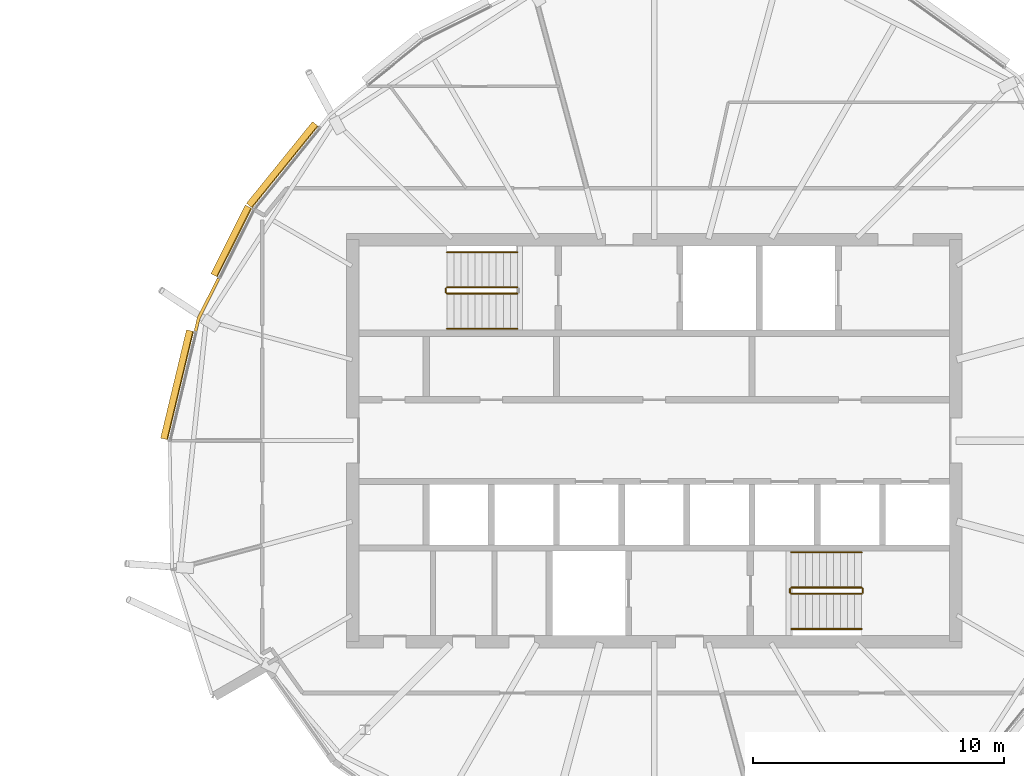
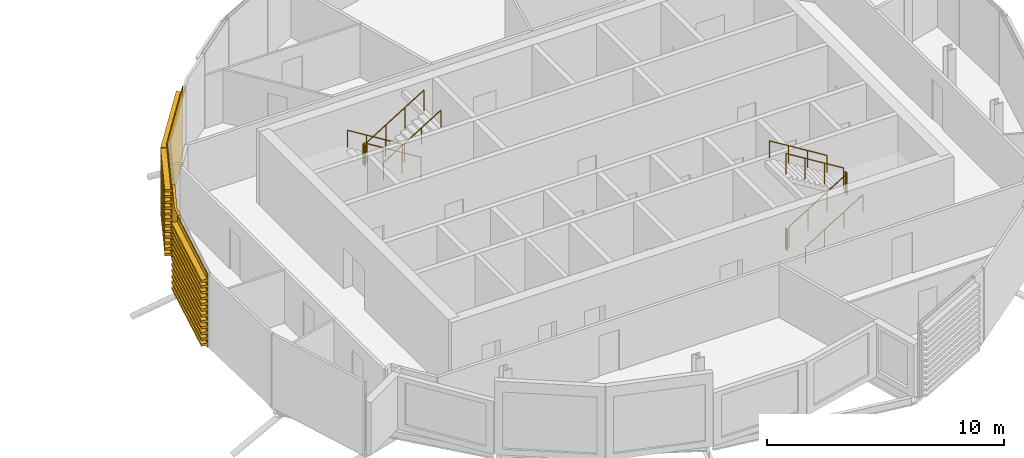
# One storey, part 31 of 33: 11 railings, 4 coverings.
"""IFC4 building model written with IfcOpenShell, lengths in metres."""

from ifc_helpers import new_model, si_unit, direction, frame, origin, origin_2d, place, context, subcontext, project, spatial, polyline, circle, outline, extrude, material, layer, layer_set, material_profile, profile_set, type_object, element, save


model = new_model("IFC4")

# Units and contexts
model_context = context("Model", 3, precision=1e-05, world=origin(), true_north=direction((0.0, 1.0)))
body_context = subcontext(model_context, "Body", "Model", "MODEL_VIEW")
ifc_project = project(units=[si_unit("LENGTHUNIT", "METRE"), si_unit("AREAUNIT", "SQUARE_METRE"), si_unit("VOLUMEUNIT", "CUBIC_METRE"), si_unit("PLANEANGLEUNIT", "RADIAN"), si_unit("MASSUNIT", "GRAM", prefix="KILO")], contexts=[model_context])

# Site, building, storey
site_placement = place(None, origin())
site = spatial("IfcSite", under=ifc_project, at=site_placement, CompositionType="ELEMENT")
building_placement = place(site_placement, origin())
building = spatial("IfcBuilding", under=site, at=building_placement, Name="Rimbun Link Towers", CompositionType="ELEMENT")
storey_placement = place(building_placement, frame((0.0, 0.0, 237.10009765625)))
storey = spatial("IfcBuildingStorey", under=building, at=storey_placement, Name="L58", CompositionType="ELEMENT", Elevation=237.10009765625)

# Covering
ifc_material_1 = material(Name="Terracotta", Category="masonry")
ifc_layer = layer(ifc_material_1, 0.1201171875)
ifc_layer_set = layer_set([ifc_layer], Name="LINK PIER terracotta cladding 120")
covering_type_1 = type_object("IfcCoveringType", Name="LINK PIER terracotta cladding 120", PredefinedType="CLADDING", material=ifc_layer_set)
covering_1_placement = place(storey_placement, origin())
element("IfcCovering", 1, at=covering_1_placement, inside=storey, type_object=covering_type_1, Name="LINK PIER cladding", PredefinedType="CLADDING", context=body_context, shape_type="SweptSolid", body=[
    extrude(outline(polyline([(13.54931640625, 4.338623046875), (13.67041015625, 4.844482421875), (14.464599609375, 6.42626953125), (14.357421875, 6.47998046875), (13.556884765625, 4.8857421875), (13.4326171875, 4.366455078125), (13.54931640625, 4.338623046875)])), origin(), (0.0, 0.0, 1.0), 3.7998046875),
])

# Railings
ifc_material_2 = material(Name="Stainless steel grade 316", Category="steel")
railing_type_1 = type_object("IfcRailingType", Name="Stair guard", PredefinedType="GUARDRAIL", material=ifc_material_2)
railing_1_placement = place(storey_placement, frame((26.300048828125, 6.10009765625, 0.172607421875)))
element("IfcRailing", 2, at=railing_1_placement, inside=storey, type_object=railing_type_1, Name="L58 ST3 stair guard 1", PredefinedType="GUARDRAIL", context=body_context, shape_type="SweptSolid", body=[
    extrude(circle(Radius=0.02392578125, at=origin_2d()), frame((0.0, 0.0, 1.076171875), z_axis=(-0.851089632645, 0.0, 0.525020415988), x_axis=(0.0, -1.0, 0.0)), (0.0, 0.0, 1.0), 3.2900390625),
    extrude(circle(Radius=0.02099609375, at=origin_2d()), origin(), (0.0, 0.0, 1.0), 1.052001953125),
    extrude(circle(Radius=0.02099609375, at=origin_2d()), frame((-0.933349609375, 0.0, 0.57568359375)), (0.0, 0.0, 1.0), 1.052001953125),
    extrude(circle(Radius=0.02099609375, at=origin_2d()), frame((-1.86669921875, 0.0, 1.151611328125)), (0.0, 0.0, 1.0), 1.052001953125),
    extrude(circle(Radius=0.02099609375, at=origin_2d()), frame((-2.800048828125, 0.0, 1.727294921875)), (0.0, 0.0, 1.0), 1.052001953125),
])
railing_2_placement = place(storey_placement, frame((23.449951171875, 6.050048828125, 1.89990234375)))
element("IfcRailing", 3, at=railing_2_placement, inside=storey, type_object=railing_type_1, Name="L58 ST3 stair guard 2", PredefinedType="GUARDRAIL", context=body_context, shape_type="SweptSolid", body=[
    extrude(circle(Radius=0.02392578125, at=origin_2d()), frame((0.0, 0.0, 1.076171875), z_axis=(0.0, -1.0, 0.0), x_axis=(1.0, 0.0, 0.0)), (0.0, 0.0, 1.0), 0.150146484375),
    extrude(circle(Radius=0.02099609375, at=origin_2d()), origin(), (0.0, 0.0, 1.0), 1.052001953125),
    extrude(circle(Radius=0.02099609375, at=origin_2d()), frame((0.0, -0.150146484375, 0.0)), (0.0, 0.0, 1.0), 1.052001953125),
])
for number, where, name in (
    (4, (23.5, 5.85009765625, 2.072509765625), "L58 ST3 stair guard 3"),
    (5, (37.199951171875, -6.10009765625, 0.172607421875), "L58 ST4 stair guard 1"),
):
    element("IfcRailing", number, at=place(storey_placement, frame(where)), inside=storey, type_object=railing_type_1, Name=name, PredefinedType="GUARDRAIL", context=body_context, shape_type="SweptSolid", body=[
        extrude(circle(Radius=0.02392578125, at=origin_2d()), frame((0.0, 0.0, 1.076171875), z_axis=(0.851089632645, 0.0, 0.525020415988), x_axis=(0.0, 1.0, 0.0)), (0.0, 0.0, 1.0), 3.2900390625),
        extrude(circle(Radius=0.02099609375, at=origin_2d()), origin(), (0.0, 0.0, 1.0), 1.052001953125),
        extrude(circle(Radius=0.02099609375, at=origin_2d()), frame((0.933349609375, 0.0, 0.57568359375)), (0.0, 0.0, 1.0), 1.052001953125),
        extrude(circle(Radius=0.02099609375, at=origin_2d()), frame((1.86669921875, 0.0, 1.151611328125)), (0.0, 0.0, 1.0), 1.052001953125),
        extrude(circle(Radius=0.02099609375, at=origin_2d()), frame((2.800048828125, 0.0, 1.727294921875)), (0.0, 0.0, 1.0), 1.052001953125),
    ])
railing_3_placement = place(storey_placement, frame((40.050048828125, -6.050048828125, 1.89990234375)))
element("IfcRailing", 6, at=railing_3_placement, inside=storey, type_object=railing_type_1, Name="L58 ST4 stair guard 2", PredefinedType="GUARDRAIL", context=body_context, shape_type="SweptSolid", body=[
    extrude(circle(Radius=0.02392578125, at=origin_2d()), frame((0.0, 0.0, 1.076171875), z_axis=(0.0, 1.0, 0.0), x_axis=(-1.0, 0.0, 0.0)), (0.0, 0.0, 1.0), 0.150146484375),
    extrude(circle(Radius=0.02099609375, at=origin_2d()), origin(), (0.0, 0.0, 1.0), 1.052001953125),
    extrude(circle(Radius=0.02099609375, at=origin_2d()), frame((0.0, 0.150146484375, 0.0)), (0.0, 0.0, 1.0), 1.052001953125),
])
railing_4_placement = place(storey_placement, frame((40.0, -5.85009765625, 2.072509765625)))
element("IfcRailing", 7, at=railing_4_placement, inside=storey, type_object=railing_type_1, Name="L58 ST4 stair guard 3", PredefinedType="GUARDRAIL", context=body_context, shape_type="SweptSolid", body=[
    extrude(circle(Radius=0.02392578125, at=origin_2d()), frame((0.0, 0.0, 1.076171875), z_axis=(-0.851089632645, 0.0, 0.525020415988), x_axis=(0.0, -1.0, 0.0)), (0.0, 0.0, 1.0), 3.2900390625),
    extrude(circle(Radius=0.02099609375, at=origin_2d()), origin(), (0.0, 0.0, 1.0), 1.052001953125),
    extrude(circle(Radius=0.02099609375, at=origin_2d()), frame((-0.933349609375, 0.0, 0.57568359375)), (0.0, 0.0, 1.0), 1.052001953125),
    extrude(circle(Radius=0.02099609375, at=origin_2d()), frame((-1.86669921875, 0.0, 1.151611328125)), (0.0, 0.0, 1.0), 1.052001953125),
    extrude(circle(Radius=0.02099609375, at=origin_2d()), frame((-2.800048828125, 0.0, 1.727294921875)), (0.0, 0.0, 1.0), 1.052001953125),
])
railing_5_placement = place(storey_placement, frame((37.14990234375, -6.050048828125, 0.0)))
element("IfcRailing", 8, at=railing_5_placement, inside=storey, type_object=railing_type_1, Name="L58 ST4 stair guard 4", PredefinedType="GUARDRAIL", context=body_context, shape_type="SweptSolid", body=[
    extrude(circle(Radius=0.02392578125, at=origin_2d()), frame((0.0, 0.0, 1.076171875), z_axis=(0.0, 1.0, 0.0), x_axis=(-1.0, 0.0, 0.0)), (0.0, 0.0, 1.0), 0.150146484375),
    extrude(circle(Radius=0.02099609375, at=origin_2d()), origin(), (0.0, 0.0, 1.0), 1.052001953125),
    extrude(circle(Radius=0.02099609375, at=origin_2d()), frame((0.0, 0.150146484375, 0.0)), (0.0, 0.0, 1.0), 1.052001953125),
])
ifc_material_3 = material(Name="Stainless steel grade 316", Category="steel")
railing_type_2 = type_object("IfcRailingType", Name="Stair handrail", PredefinedType="HANDRAIL", material=ifc_material_3)
railing_6_placement = place(storey_placement, frame((26.300048828125, 7.5, 0.172607421875)))
element("IfcRailing", 9, at=railing_6_placement, inside=storey, type_object=railing_type_2, Name="L58 ST3 stair handrail 1", PredefinedType="HANDRAIL", context=body_context, shape_type="SweptSolid", body=[
    extrude(circle(Radius=0.02392578125, at=origin_2d()), frame((0.0, 0.0, 0.8759765625), z_axis=(-0.851089632645, 0.0, 0.525020415988), x_axis=(0.0, -1.0, 0.0)), (0.0, 0.0, 1.0), 3.2900390625),
    extrude(circle(Radius=0.02099609375, at=origin_2d()), origin(), (0.0, 0.0, 1.0), 0.851806640625),
    extrude(circle(Radius=0.02099609375, at=origin_2d()), frame((-0.933349609375, 0.0, 0.57568359375)), (0.0, 0.0, 1.0), 0.851806640625),
    extrude(circle(Radius=0.02099609375, at=origin_2d()), frame((-1.86669921875, 0.0, 1.151611328125)), (0.0, 0.0, 1.0), 0.851806640625),
    extrude(circle(Radius=0.02099609375, at=origin_2d()), frame((-2.800048828125, 0.0, 1.727294921875)), (0.0, 0.0, 1.0), 0.851806640625),
])
for number, where, name in (
    (10, (23.5, 4.449951171875, 2.072509765625), "L58 ST3 stair handrail 2"),
    (11, (37.199951171875, -7.5, 0.172607421875), "L58 ST4 stair handrail 1"),
):
    element("IfcRailing", number, at=place(storey_placement, frame(where)), inside=storey, type_object=railing_type_2, Name=name, PredefinedType="HANDRAIL", context=body_context, shape_type="SweptSolid", body=[
        extrude(circle(Radius=0.02392578125, at=origin_2d()), frame((0.0, 0.0, 0.8759765625), z_axis=(0.851089632645, 0.0, 0.525020415988), x_axis=(0.0, 1.0, 0.0)), (0.0, 0.0, 1.0), 3.2900390625),
        extrude(circle(Radius=0.02099609375, at=origin_2d()), origin(), (0.0, 0.0, 1.0), 0.851806640625),
        extrude(circle(Radius=0.02099609375, at=origin_2d()), frame((0.933349609375, 0.0, 0.57568359375)), (0.0, 0.0, 1.0), 0.851806640625),
        extrude(circle(Radius=0.02099609375, at=origin_2d()), frame((1.86669921875, 0.0, 1.151611328125)), (0.0, 0.0, 1.0), 0.851806640625),
        extrude(circle(Radius=0.02099609375, at=origin_2d()), frame((2.800048828125, 0.0, 1.727294921875)), (0.0, 0.0, 1.0), 0.851806640625),
    ])
railing_7_placement = place(storey_placement, frame((40.0, -4.449951171875, 2.072509765625)))
element("IfcRailing", 12, at=railing_7_placement, inside=storey, type_object=railing_type_2, Name="L58 ST4 stair handrail 2", PredefinedType="HANDRAIL", context=body_context, shape_type="SweptSolid", body=[
    extrude(circle(Radius=0.02392578125, at=origin_2d()), frame((0.0, 0.0, 0.8759765625), z_axis=(-0.851089632645, 0.0, 0.525020415988), x_axis=(0.0, -1.0, 0.0)), (0.0, 0.0, 1.0), 3.2900390625),
    extrude(circle(Radius=0.02099609375, at=origin_2d()), origin(), (0.0, 0.0, 1.0), 0.851806640625),
    extrude(circle(Radius=0.02099609375, at=origin_2d()), frame((-0.933349609375, 0.0, 0.57568359375)), (0.0, 0.0, 1.0), 0.851806640625),
    extrude(circle(Radius=0.02099609375, at=origin_2d()), frame((-1.86669921875, 0.0, 1.151611328125)), (0.0, 0.0, 1.0), 0.851806640625),
    extrude(circle(Radius=0.02099609375, at=origin_2d()), frame((-2.800048828125, 0.0, 1.727294921875)), (0.0, 0.0, 1.0), 0.851806640625),
])

# Coverings
ifc_material_4 = material(Name="Terracotta", Category="masonry")
ifc_material_profile = material_profile(ifc_material_4, outline(polyline([(0.123046875, 0.0), (0.1630859375, 0.0), (0.1630859375, 0.10009765625), (0.423095703125, 0.10009765625), (0.423095703125, 0.219970703125), (0.1630859375, 0.219970703125), (0.1630859375, 0.39990234375), (0.423095703125, 0.39990234375), (0.423095703125, 0.52001953125), (0.1630859375, 0.52001953125), (0.1630859375, 0.699951171875), (0.423095703125, 0.699951171875), (0.423095703125, 0.820068359375), (0.1630859375, 0.820068359375), (0.1630859375, 1.0), (0.423095703125, 1.0), (0.423095703125, 1.1201171875), (0.1630859375, 1.1201171875), (0.1630859375, 1.300048828125), (0.423095703125, 1.300048828125), (0.423095703125, 1.419921875), (0.1630859375, 1.419921875), (0.1630859375, 1.60009765625), (0.423095703125, 1.60009765625), (0.423095703125, 1.719970703125), (0.1630859375, 1.719970703125), (0.1630859375, 1.89990234375), (0.423095703125, 1.89990234375), (0.423095703125, 2.02001953125), (0.1630859375, 2.02001953125), (0.1630859375, 2.199951171875), (0.423095703125, 2.199951171875), (0.423095703125, 2.320068359375), (0.1630859375, 2.320068359375), (0.1630859375, 2.5), (0.423095703125, 2.5), (0.423095703125, 2.6201171875), (0.1630859375, 2.6201171875), (0.1630859375, 2.800048828125), (0.423095703125, 2.800048828125), (0.423095703125, 2.919921875), (0.1630859375, 2.919921875), (0.1630859375, 3.10009765625), (0.423095703125, 3.10009765625), (0.423095703125, 3.219970703125), (0.1630859375, 3.219970703125), (0.1630859375, 3.39990234375), (0.423095703125, 3.39990234375), (0.423095703125, 3.52001953125), (0.1630859375, 3.52001953125), (0.1630859375, 3.800048828125), (0.123046875, 3.800048828125), (0.123046875, 0.0)])), Name="BAGUETTE 120X300")
ifc_profile_set = profile_set([ifc_material_profile], Name="Terracotta")
covering_type_2 = type_object("IfcCoveringType", Name="TERRACOTTA BAGUETTE 120X300 H3800", PredefinedType="CLADDING", material=ifc_profile_set)
covering_2_placement = place(storey_placement, frame((15.84814453125, 9.180908203125, 0.0), z_axis=(0.629130996415, 0.777299292004, 0.0), x_axis=(-0.777299292004, 0.629130996415, 0.0)))
element("IfcCovering", 13, at=covering_2_placement, inside=storey, type_object=covering_type_2, Name="TERRACOTTA BAGUETTE", PredefinedType="CLADDING", context=body_context, shape_type="SweptSolid", body=[
    extrude(outline(polyline([(0.123046875, 0.0), (0.1630859375, 0.0), (0.1630859375, 0.10009765625), (0.423095703125, 0.10009765625), (0.423095703125, 0.219970703125), (0.1630859375, 0.219970703125), (0.1630859375, 0.39990234375), (0.423095703125, 0.39990234375), (0.423095703125, 0.52001953125), (0.1630859375, 0.52001953125), (0.1630859375, 0.699951171875), (0.423095703125, 0.699951171875), (0.423095703125, 0.820068359375), (0.1630859375, 0.820068359375), (0.1630859375, 1.0), (0.423095703125, 1.0), (0.423095703125, 1.1201171875), (0.1630859375, 1.1201171875), (0.1630859375, 1.300048828125), (0.423095703125, 1.300048828125), (0.423095703125, 1.419921875), (0.1630859375, 1.419921875), (0.1630859375, 1.60009765625), (0.423095703125, 1.60009765625), (0.423095703125, 1.719970703125), (0.1630859375, 1.719970703125), (0.1630859375, 1.89990234375), (0.423095703125, 1.89990234375), (0.423095703125, 2.02001953125), (0.1630859375, 2.02001953125), (0.1630859375, 2.199951171875), (0.423095703125, 2.199951171875), (0.423095703125, 2.320068359375), (0.1630859375, 2.320068359375), (0.1630859375, 2.5), (0.423095703125, 2.5), (0.423095703125, 2.6201171875), (0.1630859375, 2.6201171875), (0.1630859375, 2.800048828125), (0.423095703125, 2.800048828125), (0.423095703125, 2.919921875), (0.1630859375, 2.919921875), (0.1630859375, 3.10009765625), (0.423095703125, 3.10009765625), (0.423095703125, 3.219970703125), (0.1630859375, 3.219970703125), (0.1630859375, 3.39990234375), (0.423095703125, 3.39990234375), (0.423095703125, 3.52001953125), (0.1630859375, 3.52001953125), (0.1630859375, 3.800048828125), (0.123046875, 3.800048828125), (0.123046875, 0.0)])), origin(), (0.0, 0.0, 1.0), 4.1787109375),
])
covering_3_placement = place(storey_placement, frame((14.47802734375, 6.452880859375, 0.0), z_axis=(0.448812354249, 0.893626023946, 0.0), x_axis=(-0.893626023946, 0.448812354249, 0.0)))
element("IfcCovering", 14, at=covering_3_placement, inside=storey, type_object=covering_type_2, Name="TERRACOTTA BAGUETTE", PredefinedType="CLADDING", context=body_context, shape_type="SweptSolid", body=[
    extrude(outline(polyline([(0.123046875, 0.0), (0.1630859375, 0.0), (0.1630859375, 0.10009765625), (0.423095703125, 0.10009765625), (0.423095703125, 0.219970703125), (0.1630859375, 0.219970703125), (0.1630859375, 0.39990234375), (0.423095703125, 0.39990234375), (0.423095703125, 0.52001953125), (0.1630859375, 0.52001953125), (0.1630859375, 0.699951171875), (0.423095703125, 0.699951171875), (0.423095703125, 0.820068359375), (0.1630859375, 0.820068359375), (0.1630859375, 1.0), (0.423095703125, 1.0), (0.423095703125, 1.1201171875), (0.1630859375, 1.1201171875), (0.1630859375, 1.300048828125), (0.423095703125, 1.300048828125), (0.423095703125, 1.419921875), (0.1630859375, 1.419921875), (0.1630859375, 1.60009765625), (0.423095703125, 1.60009765625), (0.423095703125, 1.719970703125), (0.1630859375, 1.719970703125), (0.1630859375, 1.89990234375), (0.423095703125, 1.89990234375), (0.423095703125, 2.02001953125), (0.1630859375, 2.02001953125), (0.1630859375, 2.199951171875), (0.423095703125, 2.199951171875), (0.423095703125, 2.320068359375), (0.1630859375, 2.320068359375), (0.1630859375, 2.5), (0.423095703125, 2.5), (0.423095703125, 2.6201171875), (0.1630859375, 2.6201171875), (0.1630859375, 2.800048828125), (0.423095703125, 2.800048828125), (0.423095703125, 2.919921875), (0.1630859375, 2.919921875), (0.1630859375, 3.10009765625), (0.423095703125, 3.10009765625), (0.423095703125, 3.219970703125), (0.1630859375, 3.219970703125), (0.1630859375, 3.39990234375), (0.423095703125, 3.39990234375), (0.423095703125, 3.52001953125), (0.1630859375, 3.52001953125), (0.1630859375, 3.800048828125), (0.123046875, 3.800048828125), (0.123046875, 0.0)])), origin(), (0.0, 0.0, 1.0), 3.052734375),
])
covering_4_placement = place(storey_placement, frame((12.51171875, 0.0, 0.0), z_axis=(0.232618531719, 0.972568053506, 0.0), x_axis=(-0.972568053506, 0.232618531719, 0.0)))
element("IfcCovering", 15, at=covering_4_placement, inside=storey, type_object=covering_type_2, Name="TERRACOTTA BAGUETTE", PredefinedType="CLADDING", context=body_context, shape_type="SweptSolid", body=[
    extrude(outline(polyline([(0.123046875, 0.0), (0.1630859375, 0.0), (0.1630859375, 0.10009765625), (0.423095703125, 0.10009765625), (0.423095703125, 0.219970703125), (0.1630859375, 0.219970703125), (0.1630859375, 0.39990234375), (0.423095703125, 0.39990234375), (0.423095703125, 0.52001953125), (0.1630859375, 0.52001953125), (0.1630859375, 0.699951171875), (0.423095703125, 0.699951171875), (0.423095703125, 0.820068359375), (0.1630859375, 0.820068359375), (0.1630859375, 1.0), (0.423095703125, 1.0), (0.423095703125, 1.1201171875), (0.1630859375, 1.1201171875), (0.1630859375, 1.300048828125), (0.423095703125, 1.300048828125), (0.423095703125, 1.419921875), (0.1630859375, 1.419921875), (0.1630859375, 1.60009765625), (0.423095703125, 1.60009765625), (0.423095703125, 1.719970703125), (0.1630859375, 1.719970703125), (0.1630859375, 1.89990234375), (0.423095703125, 1.89990234375), (0.423095703125, 2.02001953125), (0.1630859375, 2.02001953125), (0.1630859375, 2.199951171875), (0.423095703125, 2.199951171875), (0.423095703125, 2.320068359375), (0.1630859375, 2.320068359375), (0.1630859375, 2.5), (0.423095703125, 2.5), (0.423095703125, 2.6201171875), (0.1630859375, 2.6201171875), (0.1630859375, 2.800048828125), (0.423095703125, 2.800048828125), (0.423095703125, 2.919921875), (0.1630859375, 2.919921875), (0.1630859375, 3.10009765625), (0.423095703125, 3.10009765625), (0.423095703125, 3.219970703125), (0.1630859375, 3.219970703125), (0.1630859375, 3.39990234375), (0.423095703125, 3.39990234375), (0.423095703125, 3.52001953125), (0.1630859375, 3.52001953125), (0.1630859375, 3.800048828125), (0.123046875, 3.800048828125), (0.123046875, 0.0)])), origin(), (0.0, 0.0, 1.0), 4.43115234375),
])

save(model, "model.ifc")
